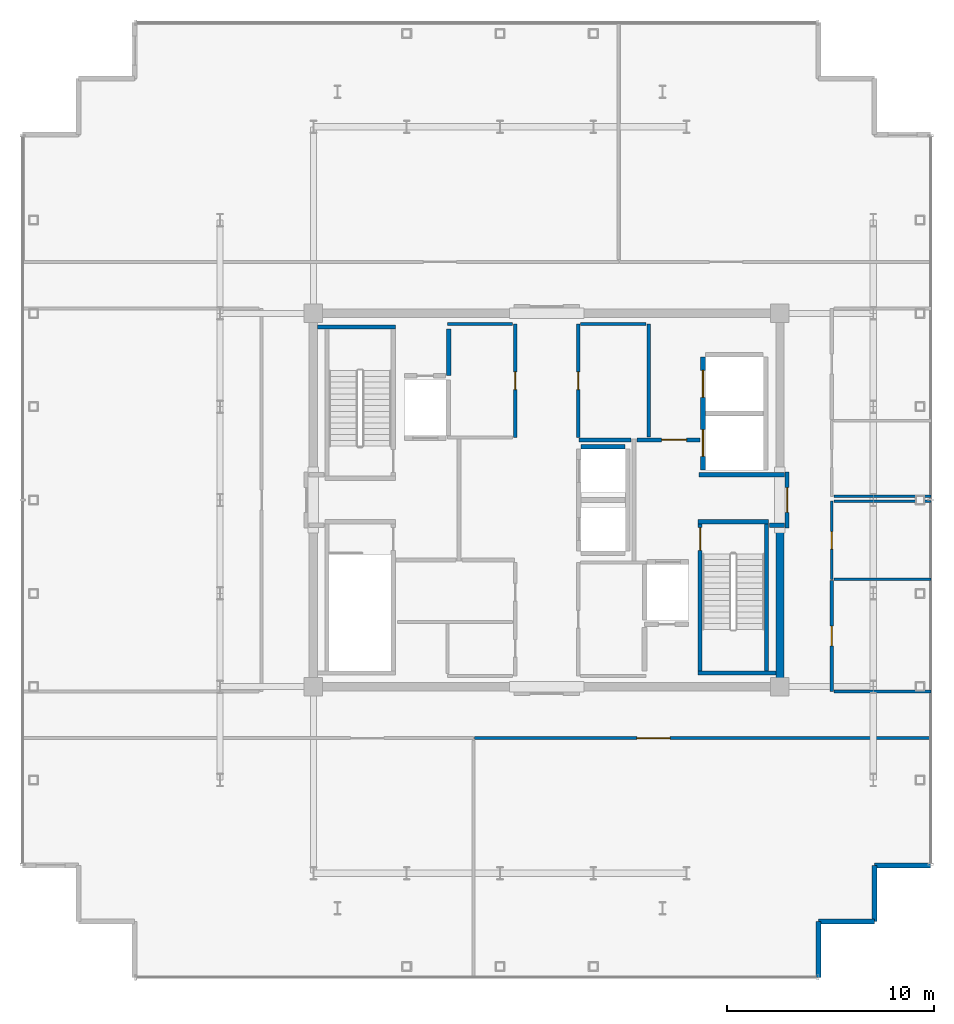
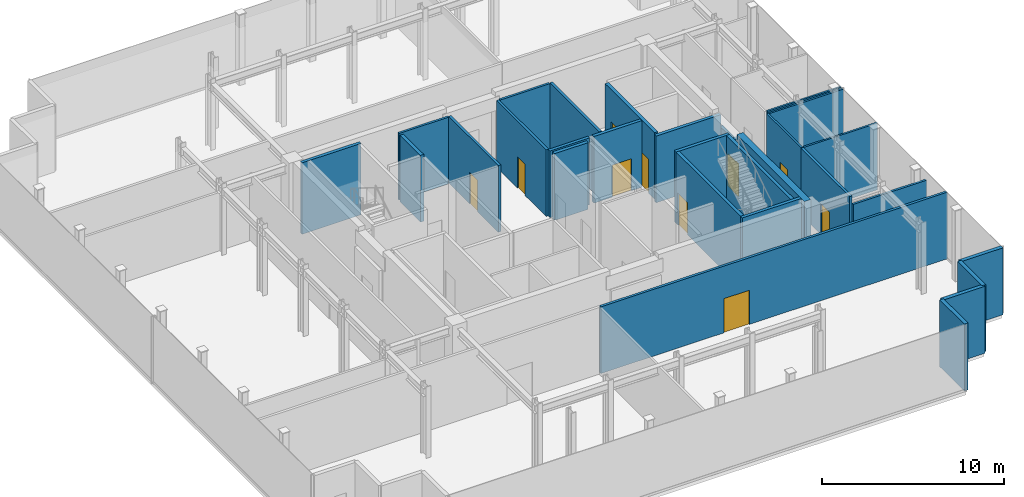
# One storey, part 14 of 17: 30 walls, 10 doors, 10 openings.
"""IFC4 building model written with IfcOpenShell, lengths in metres."""

from ifc_helpers import new_model, si_unit, direction, frame, frame_2d, origin, place, context, subcontext, project, spatial, rectangle, extrude, source, transform, mapped, material, layer, layer_set, type_object, element, fill, save


model = new_model("IFC4")

# Units and contexts
model_context = context("Model", 3, precision=1e-05, world=origin(), true_north=direction((0.0, 1.0)))
body_context = subcontext(model_context, "Body", "Model", "MODEL_VIEW")
ifc_project = project(units=[si_unit("LENGTHUNIT", "METRE"), si_unit("AREAUNIT", "SQUARE_METRE"), si_unit("VOLUMEUNIT", "CUBIC_METRE"), si_unit("PLANEANGLEUNIT", "RADIAN"), si_unit("MASSUNIT", "GRAM", prefix="KILO")], contexts=[model_context])

# Site, building, storey
site_placement = place(None, origin())
site = spatial("IfcSite", under=ifc_project, at=site_placement, CompositionType="ELEMENT")
building_placement = place(site_placement, origin())
building = spatial("IfcBuilding", under=site, at=building_placement, Name="Nefas-Gora Pilgrimage Tower", CompositionType="ELEMENT")
storey_placement = place(building_placement, frame((0.0, 0.0, 353.800048828125)))
storey = spatial("IfcBuildingStorey", under=building, at=storey_placement, Name="L89", CompositionType="ELEMENT", Elevation=353.800048828125)

# Walls
ifc_material_1 = material(Name="Concrete C50/60", Category="concrete")
ifc_layer_1 = layer(ifc_material_1, 0.39990234375)
ifc_layer_set_1 = layer_set([ifc_layer_1], Name="Concrete C50/60")
wall_type_1 = type_object("IfcWallType", Name="SW-CORE-400", PredefinedType="SHEAR", material=ifc_layer_set_1)
shared_shape_1 = source(origin(), body_context, "Body", "SweptSolid", [
    extrude(rectangle(XDim=7.449951171875, YDim=0.39990234375, at=frame_2d((3.72509765625, 0.0))), origin(), (0.0, 0.0, 1.0), 4.800048828125),
])
wall_1_placement = place(storey_placement, frame((11.25, -8.800048828125, 0.0), z_axis=(0.0, 0.0, 1.0), x_axis=(0.0, 1.0, 0.0)))
element("IfcWall", 1, at=wall_1_placement, inside=storey, type_object=wall_type_1, Name="L89 Core Shear Wall E-South", PredefinedType="SHEAR", context=body_context, shape_type="MappedRepresentation", body=[
    mapped(shared_shape_1, transform((0.0, 0.0, 0.0), x_axis=(1.0, 0.0, 0.0), y_axis=(0.0, 1.0, 0.0), z_axis=(0.0, 0.0, 1.0), scale=1.0)),
])
ifc_material_2 = material(Name="Precast concrete C45/55", Category="concrete")
ifc_layer_2 = layer(ifc_material_2, 0.239990234375)
ifc_layer_set_2 = layer_set([ifc_layer_2], Name="Precast concrete C45/55")
wall_type_2 = type_object("IfcWallType", Name="EW-SERR-240", PredefinedType="SHEAR", material=ifc_layer_set_2)
shared_shape_2 = source(origin(), body_context, "Body", "SweptSolid", [
    extrude(rectangle(XDim=2.699951171875, YDim=0.239990234375, at=frame_2d((1.35009765625, 0.0))), origin(), (0.0, 0.0, 1.0), 4.5),
])
for number, where, z_axis, x_axis, name in (
    (2, (13.1201171875, -23.02001953125, 0.0), (0.0, 0.0, 1.0), (0.0, 1.0, 0.0), "L89 Serrated Corner Shear Pier Wall 13"),
    (3, (13.1201171875, -20.320068359375, 0.0), (0.0, 0.0, 1.0), (1.0, 0.0, 0.0), "L89 Serrated Corner Shear Pier Wall 14"),
    (4, (15.820068359375, -20.320068359375, 0.0), (0.0, 0.0, 1.0), (0.0, 1.0, 0.0), "L89 Serrated Corner Shear Pier Wall 15"),
    (5, (15.820068359375, -17.6201171875, 0.0), (0.0, 0.0, 1.0), (1.0, 0.0, 0.0), "L89 Serrated Corner Shear Pier Wall 16"),
):
    element("IfcWall", number, at=place(storey_placement, frame(where, z_axis=z_axis, x_axis=x_axis)), inside=storey, type_object=wall_type_2, Name=name, PredefinedType="SHEAR", context=body_context, shape_type="MappedRepresentation", body=[
        mapped(shared_shape_2, transform((0.0, 0.0, 0.0), x_axis=(1.0, 0.0, 0.0), y_axis=(0.0, 1.0, 0.0), z_axis=(0.0, 0.0, 1.0), scale=1.0)),
    ])
ifc_material_3 = material(Name="Concrete C45/55", Category="concrete")
ifc_layer_3 = layer(ifc_material_3, 0.199951171875)
ifc_layer_set_3 = layer_set([ifc_layer_3], Name="Concrete C45/55")
wall_type_3 = type_object("IfcWallType", Name="IW-STAIR-200", PredefinedType="SOLIDWALL", material=ifc_layer_set_3)
shared_shape_3 = source(origin(), body_context, "Body", "SweptSolid", [
    extrude(rectangle(XDim=3.39990234375, YDim=0.199951171875, at=frame_2d((1.699951171875, 0.0))), origin(), (0.0, 0.0, 1.0), 4.800048828125),
])
wall_2_placement = place(storey_placement, frame((7.300048828125, -1.050048828125, 0.0), z_axis=(0.0, 0.0, 1.0), x_axis=(1.0, 0.0, 0.0)))
element("IfcWall", 6, at=wall_2_placement, inside=storey, type_object=wall_type_3, Name="L89 Stairwell Shear Wall ST-02-near", PredefinedType="SOLIDWALL", context=body_context, shape_type="MappedRepresentation", body=[
    mapped(shared_shape_3, transform((0.0, 0.0, 0.0), x_axis=(1.0, 0.0, 0.0), y_axis=(0.0, 1.0, 0.0), z_axis=(0.0, 0.0, 1.0), scale=1.0)),
])

# Wall, opening, door
shared_shape_4 = source(origin(), body_context, "Body", "SweptSolid", [
    extrude(rectangle(XDim=7.10009765625, YDim=0.199951171875, at=frame_2d((3.550048828125, 0.0))), origin(), (0.0, 0.0, 1.0), 4.800048828125),
])
wall_3_placement = place(storey_placement, frame((7.39990234375, -1.14990234375, 0.0), z_axis=(0.0, 0.0, 1.0), x_axis=(0.0, -1.0, 0.0)))
wall_3 = element("IfcWall", 7, at=wall_3_placement, inside=storey, type_object=wall_type_3, Name="L89 Stairwell Shear Wall ST-02-left", PredefinedType="SOLIDWALL", context=body_context, shape_type="MappedRepresentation", body=[
    mapped(shared_shape_4, transform((0.0, 0.0, 0.0), x_axis=(1.0, 0.0, 0.0), y_axis=(0.0, 1.0, 0.0), z_axis=(0.0, 0.0, 1.0), scale=1.0)),
])
opening_1_placement = place(wall_3_placement, frame((0.179931640625, 0.0, 0.0)))
opening_1 = element("IfcOpeningElement", 8, at=opening_1_placement, cuts=wall_3, Name="Opening ID-ST1", PredefinedType="OPENING", context=body_context, shape_type="SweptSolid", body=[
    extrude(rectangle(XDim=1.10009765625, YDim=2.14990234375, at=frame_2d((0.550048828125, 1.074951171875))), frame((0.0, 0.10986328125, 0.0), z_axis=(0.0, -1.0, 0.0), x_axis=(1.0, 0.0, 0.0)), (0.0, 0.0, 1.0), 0.219970703125),
])
ifc_material_4 = material(Name="Painted galvanised steel fire stair door", Category="steel")
door_type_1 = type_object("IfcDoorType", Name="DR-INT-STAIR-1100", OperationType="NOTDEFINED", PredefinedType="DOOR", material=ifc_material_4)
shared_shape_5 = source(origin(), body_context, "Body", "SweptSolid", [
    extrude(rectangle(XDim=1.10009765625, YDim=2.14990234375, at=frame_2d((0.550048828125, 1.074951171875))), frame((0.0, 0.02490234375, 0.0), z_axis=(0.0, -1.0, 0.0), x_axis=(1.0, 0.0, 0.0)), (0.0, 0.0, 1.0), 0.050048828125),
])
door_1_placement = place(opening_1_placement, origin())
door_1 = element("IfcDoor", 9, at=door_1_placement, inside=storey, type_object=door_type_1, Name="L89 Protected Exit Stair Door ST-02", OperationType="SINGLE_SWING_RIGHT", OverallHeight=2.14990234375, OverallWidth=1.10009765625, PredefinedType="DOOR", context=body_context, shape_type="MappedRepresentation", body=[
    mapped(shared_shape_5, transform((0.0, 0.0, 0.0), x_axis=(1.0, 0.0, 0.0), y_axis=(0.0, 1.0, 0.0), z_axis=(0.0, 0.0, 1.0), scale=1.0)),
])
fill(opening_1, door_1)

# Walls
wall_4_placement = place(storey_placement, frame((10.60009765625, -1.14990234375, 0.0), z_axis=(0.0, 0.0, 1.0), x_axis=(0.0, -1.0, 0.0)))
element("IfcWall", 10, at=wall_4_placement, inside=storey, type_object=wall_type_3, Name="L89 Stairwell Shear Wall ST-02-right", PredefinedType="SOLIDWALL", context=body_context, shape_type="MappedRepresentation", body=[
    mapped(shared_shape_4, transform((0.0, 0.0, 0.0), x_axis=(1.0, 0.0, 0.0), y_axis=(0.0, 1.0, 0.0), z_axis=(0.0, 0.0, 1.0), scale=1.0)),
])
shared_shape_6 = source(origin(), body_context, "Body", "SweptSolid", [
    extrude(rectangle(XDim=3.7548828125, YDim=0.199951171875, at=frame_2d((1.87744140625, 0.0))), origin(), (0.0, 0.0, 1.0), 4.800048828125),
])
for number, where, z_axis, x_axis, name in (
    (11, (-7.300048828125, 8.35009765625, 0.0), (0.0, 0.0, 1.0), (-1.0, 0.0, 0.0), "L89 Stairwell Shear Wall ST-01-far"),
    (12, (7.300048828125, -8.35009765625, 0.0), (0.0, 0.0, 1.0), (1.0, 0.0, 0.0), "L89 Stairwell Shear Wall ST-02-far"),
):
    element("IfcWall", number, at=place(storey_placement, frame(where, z_axis=z_axis, x_axis=x_axis)), inside=storey, type_object=wall_type_3, Name=name, PredefinedType="SOLIDWALL", context=body_context, shape_type="MappedRepresentation", body=[
        mapped(shared_shape_6, transform((0.0, 0.0, 0.0), x_axis=(1.0, 0.0, 0.0), y_axis=(0.0, 1.0, 0.0), z_axis=(0.0, 0.0, 1.0), scale=1.0)),
    ])

# Wall, openings, doors
ifc_material_5 = material(Name="Concrete C40/50", Category="concrete")
ifc_layer_4 = layer(ifc_material_5, 0.219970703125)
ifc_layer_set_4 = layer_set([ifc_layer_4], Name="Concrete C40/50")
wall_type_4 = type_object("IfcWallType", Name="IW-SHAFT-220", PredefinedType="SOLIDWALL", material=ifc_layer_set_4)
shared_shape_7 = source(origin(), body_context, "Body", "SweptSolid", [
    extrude(rectangle(XDim=5.449951171875, YDim=0.219970703125, at=frame_2d((2.72509765625, 0.0))), origin(), (0.0, 0.0, 1.0), 4.48486328125),
])
wall_5_placement = place(storey_placement, frame((7.5400390625, 6.89990234375, 0.0), z_axis=(0.0, 0.0, 1.0), x_axis=(0.0, -1.0, 0.0)))
wall_5 = element("IfcWall", 13, at=wall_5_placement, inside=storey, type_object=wall_type_4, Name="L89 Hoistway Wall SL-01-02-W", PredefinedType="SOLIDWALL", context=body_context, shape_type="MappedRepresentation", body=[
    mapped(shared_shape_7, transform((0.0, 0.0, 0.0), x_axis=(1.0, 0.0, 0.0), y_axis=(0.0, 1.0, 0.0), z_axis=(0.0, 0.0, 1.0), scale=1.0)),
])
opening_2_placement = place(wall_5_placement, frame((3.5, 0.0, 0.0)))
opening_2 = element("IfcOpeningElement", 14, at=opening_2_placement, cuts=wall_5, Name="Opening LD-SV", PredefinedType="OPENING", context=body_context, shape_type="SweptSolid", body=[
    extrude(rectangle(XDim=1.300048828125, YDim=2.300048828125, at=frame_2d((0.64990234375, 1.14990234375))), frame((0.0, 0.119873046875, 0.0), z_axis=(0.0, -1.0, 0.0), x_axis=(1.0, 0.0, 0.0)), (0.0, 0.0, 1.0), 0.239990234375),
])
opening_3_placement = place(wall_5_placement, frame((0.64990234375, 0.0, 0.0)))
opening_3 = element("IfcOpeningElement", 15, at=opening_3_placement, cuts=wall_5, Name="Opening LD-SV", PredefinedType="OPENING", context=body_context, shape_type="SweptSolid", body=[
    extrude(rectangle(XDim=1.300048828125, YDim=2.300048828125, at=frame_2d((0.64990234375, 1.14990234375))), frame((0.0, 0.119873046875, 0.0), z_axis=(0.0, -1.0, 0.0), x_axis=(1.0, 0.0, 0.0)), (0.0, 0.0, 1.0), 0.239990234375),
])
ifc_material_6 = material(Name="Heavy goods sliding lift landing door")
door_type_2 = type_object("IfcDoorType", Name="DR-LIFT-SERV-1300", OperationType="SLIDING_TO_RIGHT", PredefinedType="DOOR", material=ifc_material_6)
shared_shape_8 = source(origin(), body_context, "Body", "SweptSolid", [
    extrude(rectangle(XDim=1.300048828125, YDim=2.300048828125, at=frame_2d((0.64990234375, 1.14990234375))), frame((0.0, 0.02490234375, 0.0), z_axis=(0.0, -1.0, 0.0), x_axis=(1.0, 0.0, 0.0)), (0.0, 0.0, 1.0), 0.050048828125),
])
door_2_placement = place(opening_2_placement, origin())
door_2 = element("IfcDoor", 16, at=door_2_placement, inside=storey, type_object=door_type_2, Name="L89 Sliding Lift Landing Door SL-01", OperationType="SLIDING_TO_RIGHT", OverallHeight=2.300048828125, OverallWidth=1.300048828125, PredefinedType="DOOR", context=body_context, shape_type="MappedRepresentation", body=[
    mapped(shared_shape_8, transform((0.0, 0.0, 0.0), x_axis=(1.0, 0.0, 0.0), y_axis=(0.0, 1.0, 0.0), z_axis=(0.0, 0.0, 1.0), scale=1.0)),
])
fill(opening_2, door_2)
door_3_placement = place(opening_3_placement, origin())
door_3 = element("IfcDoor", 17, at=door_3_placement, inside=storey, type_object=door_type_2, Name="L89 Sliding Lift Landing Door SL-02", OperationType="SLIDING_TO_RIGHT", OverallHeight=2.300048828125, OverallWidth=1.300048828125, PredefinedType="DOOR", context=body_context, shape_type="MappedRepresentation", body=[
    mapped(shared_shape_8, transform((0.0, 0.0, 0.0), x_axis=(1.0, 0.0, 0.0), y_axis=(0.0, 1.0, 0.0), z_axis=(0.0, 0.0, 1.0), scale=1.0)),
])
fill(opening_3, door_3)

# Wall
shared_shape_9 = source(origin(), body_context, "Body", "SweptSolid", [
    extrude(rectangle(XDim=2.130126953125, YDim=0.219970703125, at=frame_2d((1.06494140625, 0.0))), origin(), (0.0, 0.0, 1.0), 4.48486328125),
])
wall_6_placement = place(storey_placement, frame((3.7900390625, 2.56005859375, 0.0), z_axis=(0.0, 0.0, 1.0), x_axis=(-1.0, 0.0, 0.0)))
element("IfcWall", 18, at=wall_6_placement, inside=storey, type_object=wall_type_4, Name="L89 Hoistway Wall OBS-02-N", PredefinedType="SOLIDWALL", context=body_context, shape_type="MappedRepresentation", body=[
    mapped(shared_shape_9, transform((0.0, 0.0, 0.0), x_axis=(1.0, 0.0, 0.0), y_axis=(0.0, 1.0, 0.0), z_axis=(0.0, 0.0, 1.0), scale=1.0)),
])

# Wall, opening, door
ifc_material_7 = material(Name="Gypsum fire-rated shaftwall")
ifc_layer_5 = layer(ifc_material_7, 0.199951171875)
ifc_layer_set_5 = layer_set([ifc_layer_5], Name="Gypsum fire-rated shaftwall")
wall_type_5 = type_object("IfcWallType", Name="IW-FFLOB-200", PredefinedType="PARTITIONING", material=ifc_layer_set_5)
shared_shape_10 = source(origin(), body_context, "Body", "SweptSolid", [
    extrude(rectangle(XDim=2.7001953125, YDim=0.199951171875, at=frame_2d((1.35009765625, 0.0))), origin(), (0.0, 0.0, 1.0), 3.574951171875),
])
wall_7_placement = place(storey_placement, frame((11.60009765625, -1.35009765625, 0.0), z_axis=(0.0, 0.0, 1.0), x_axis=(0.0, 1.0, 0.0)))
wall_7 = element("IfcWall", 19, at=wall_7_placement, inside=storey, type_object=wall_type_5, Name="L89 FF Lobby East Portal Wall 11", PredefinedType="PARTITIONING", context=body_context, shape_type="MappedRepresentation", body=[
    mapped(shared_shape_10, transform((0.0, 0.0, 0.0), x_axis=(1.0, 0.0, 0.0), y_axis=(0.0, 1.0, 0.0), z_axis=(0.0, 0.0, 1.0), scale=1.0)),
])
opening_4_placement = place(wall_7_placement, frame((0.75, 0.0, 0.0)))
opening_4 = element("IfcOpeningElement", 20, at=opening_4_placement, cuts=wall_7, Name="Opening ID-FF1", PredefinedType="OPENING", context=body_context, shape_type="SweptSolid", body=[
    extrude(rectangle(XDim=1.199951171875, YDim=2.14990234375, at=frame_2d((0.60009765625, 1.074951171875))), frame((0.0, 0.10986328125, 0.0), z_axis=(0.0, -1.0, 0.0), x_axis=(1.0, 0.0, 0.0)), (0.0, 0.0, 1.0), 0.219970703125),
])
ifc_material_8 = material(Name="Smoke-sealed steel firefighting lobby door", Category="steel")
door_type_3 = type_object("IfcDoorType", Name="DR-INT-FFLOB-1200", OperationType="NOTDEFINED", PredefinedType="DOOR", material=ifc_material_8)
shared_shape_11 = source(origin(), body_context, "Body", "SweptSolid", [
    extrude(rectangle(XDim=1.199951171875, YDim=2.14990234375, at=frame_2d((0.60009765625, 1.074951171875))), frame((0.0, 0.02490234375, 0.0), z_axis=(0.0, -1.0, 0.0), x_axis=(1.0, 0.0, 0.0)), (0.0, 0.0, 1.0), 0.050048828125),
])
door_4_placement = place(opening_4_placement, origin())
door_4 = element("IfcDoor", 21, at=door_4_placement, inside=storey, type_object=door_type_3, Name="L89 FF Lobby East Portal Door 4", OperationType="SINGLE_SWING_LEFT", OverallHeight=2.14990234375, OverallWidth=1.199951171875, PredefinedType="DOOR", context=body_context, shape_type="MappedRepresentation", body=[
    mapped(shared_shape_11, transform((0.0, 0.0, 0.0), x_axis=(1.0, 0.0, 0.0), y_axis=(0.0, 1.0, 0.0), z_axis=(0.0, 0.0, 1.0), scale=1.0)),
])
fill(opening_4, door_4)

# Walls
ifc_material_9 = material(Name="Gypsum twin-stud partition")
ifc_layer_6 = layer(ifc_material_9, 0.139892578125)
ifc_layer_set_6 = layer_set([ifc_layer_6], Name="Gypsum twin-stud partition")
wall_type_6 = type_object("IfcWallType", Name="IW-UNIT-140", PredefinedType="PARTITIONING", material=ifc_layer_set_6)
shared_shape_12 = source(origin(), body_context, "Body", "SweptSolid", [
    extrude(rectangle(XDim=4.669921875, YDim=0.139892578125, at=frame_2d((2.3349609375, 0.0))), origin(), (0.0, 0.0, 1.0), 3.925048828125),
])
wall_8_placement = place(storey_placement, frame((13.8701171875, -9.22998046875, 0.0), z_axis=(0.0, 0.0, 1.0), x_axis=(1.0, 0.0, 0.0)))
element("IfcWall", 22, at=wall_8_placement, inside=storey, type_object=wall_type_6, Name="L89 Summit Reading Lounge Partition Wall 50", PredefinedType="PARTITIONING", context=body_context, shape_type="MappedRepresentation", body=[
    mapped(shared_shape_12, transform((0.0, 0.0, 0.0), x_axis=(1.0, 0.0, 0.0), y_axis=(0.0, 1.0, 0.0), z_axis=(0.0, 0.0, 1.0), scale=1.0)),
])
shared_shape_13 = source(origin(), body_context, "Body", "SweptSolid", [
    extrude(rectangle(XDim=2.25, YDim=0.219970703125, at=frame_2d((1.125, 0.0))), origin(), (0.0, 0.0, 1.0), 4.48486328125),
])
wall_9_placement = place(storey_placement, frame((-4.719970703125, 6.0, 0.0), z_axis=(0.0, 0.0, 1.0), x_axis=(0.0, 1.0, 0.0)))
element("IfcWall", 23, at=wall_9_placement, inside=storey, type_object=wall_type_4, Name="L89 Riser Shaft Wall 1", PredefinedType="SOLIDWALL", context=body_context, shape_type="MappedRepresentation", body=[
    mapped(shared_shape_13, transform((0.0, 0.0, 0.0), x_axis=(1.0, 0.0, 0.0), y_axis=(0.0, 1.0, 0.0), z_axis=(0.0, 0.0, 1.0), scale=1.0)),
])
shared_shape_14 = source(origin(), body_context, "Body", "SweptSolid", [
    extrude(rectangle(XDim=2.52001953125, YDim=0.199951171875, at=frame_2d((1.260009765625, 0.0))), origin(), (0.0, 0.0, 1.0), 4.48486328125),
])
wall_10_placement = place(storey_placement, frame((1.56005859375, 2.89990234375, 0.0), z_axis=(0.0, 0.0, 1.0), x_axis=(1.0, 0.0, 0.0)))
element("IfcWall", 24, at=wall_10_placement, inside=storey, type_object=wall_type_5, Name="L89 FF Lobby East North Wall Wall 13", PredefinedType="PARTITIONING", context=body_context, shape_type="MappedRepresentation", body=[
    mapped(shared_shape_14, transform((0.0, 0.0, 0.0), x_axis=(1.0, 0.0, 0.0), y_axis=(0.0, 1.0, 0.0), z_axis=(0.0, 0.0, 1.0), scale=1.0)),
])
shared_shape_15 = source(origin(), body_context, "Body", "SweptSolid", [
    extrude(rectangle(XDim=0.719970703125, YDim=0.199951171875, at=frame_2d((0.35986328125, 0.0))), origin(), (0.0, 0.0, 1.0), 4.48486328125),
])
wall_11_placement = place(storey_placement, frame((10.739990234375, -1.219970703125, 0.0), z_axis=(0.0, 0.0, 1.0), x_axis=(1.0, 0.0, 0.0)))
element("IfcWall", 25, at=wall_11_placement, inside=storey, type_object=wall_type_5, Name="L89 FF Lobby East Throat S Wall 16", PredefinedType="PARTITIONING", context=body_context, shape_type="MappedRepresentation", body=[
    mapped(shared_shape_15, transform((0.0, 0.0, 0.0), x_axis=(1.0, 0.0, 0.0), y_axis=(0.0, 1.0, 0.0), z_axis=(0.0, 0.0, 1.0), scale=1.0)),
])

# Wall, opening, door
shared_shape_16 = source(origin(), body_context, "Body", "SweptSolid", [
    extrude(rectangle(XDim=3.039794921875, YDim=0.199951171875, at=frame_2d((1.52001953125, 0.0))), origin(), (0.0, 0.0, 1.0), 4.48486328125),
])
wall_12_placement = place(storey_placement, frame((4.360107421875, 2.89990234375, 0.0), z_axis=(0.0, 0.0, 1.0), x_axis=(1.0, 0.0, 0.0)))
wall_12 = element("IfcWall", 26, at=wall_12_placement, inside=storey, type_object=wall_type_5, Name="L89 FF Lobby East North Wall Wall 14", PredefinedType="PARTITIONING", context=body_context, shape_type="MappedRepresentation", body=[
    mapped(shared_shape_16, transform((0.0, 0.0, 0.0), x_axis=(1.0, 0.0, 0.0), y_axis=(0.0, 1.0, 0.0), z_axis=(0.0, 0.0, 1.0), scale=1.0)),
])
opening_5_placement = place(wall_12_placement, frame((1.18994140625, 0.0, 0.0)))
opening_5 = element("IfcOpeningElement", 27, at=opening_5_placement, cuts=wall_12, Name="Opening ID-PL1", PredefinedType="OPENING", context=body_context, shape_type="SweptSolid", body=[
    extrude(rectangle(XDim=1.199951171875, YDim=2.14990234375, at=frame_2d((0.60009765625, 1.074951171875))), frame((0.0, 0.10986328125, 0.0), z_axis=(0.0, -1.0, 0.0), x_axis=(1.0, 0.0, 0.0)), (0.0, 0.0, 1.0), 0.219970703125),
])
ifc_material_10 = material(Name="Heavy-duty steel plant room fire door", Category="steel")
door_type_4 = type_object("IfcDoorType", Name="DR-INT-PLANT-1200", OperationType="NOTDEFINED", PredefinedType="DOOR", material=ifc_material_10)
door_5_placement = place(opening_5_placement, origin())
door_5 = element("IfcDoor", 28, at=door_5_placement, inside=storey, type_object=door_type_4, Name="L89 Service Lift Lobby Door Door 5", OperationType="SINGLE_SWING_RIGHT", OverallHeight=2.14990234375, OverallWidth=1.199951171875, PredefinedType="DOOR", context=body_context, shape_type="MappedRepresentation", body=[
    mapped(shared_shape_11, transform((0.0, 0.0, 0.0), x_axis=(1.0, 0.0, 0.0), y_axis=(0.0, 1.0, 0.0), z_axis=(0.0, 0.0, 1.0), scale=1.0)),
])
fill(opening_5, door_5)

# Walls
shared_shape_17 = source(origin(), body_context, "Body", "SweptSolid", [
    extrude(rectangle(XDim=4.10986328125, YDim=0.199951171875, at=frame_2d((2.054931640625, 0.0))), origin(), (0.0, 0.0, 1.0), 4.48486328125),
])
wall_13_placement = place(storey_placement, frame((7.35009765625, 1.219970703125, 0.0), z_axis=(0.0, 0.0, 1.0), x_axis=(1.0, 0.0, 0.0)))
element("IfcWall", 29, at=wall_13_placement, inside=storey, type_object=wall_type_5, Name="L89 FF Lobby East Throat N Wall 15", PredefinedType="PARTITIONING", context=body_context, shape_type="MappedRepresentation", body=[
    mapped(shared_shape_17, transform((0.0, 0.0, 0.0), x_axis=(1.0, 0.0, 0.0), y_axis=(0.0, 1.0, 0.0), z_axis=(0.0, 0.0, 1.0), scale=1.0)),
])
ifc_material_11 = material(Name="Gypsum acoustic stud partition")
ifc_layer_7 = layer(ifc_material_11, 0.159912109375)
ifc_layer_set_7 = layer_set([ifc_layer_7], Name="Gypsum acoustic stud partition")
wall_type_7 = type_object("IfcWallType", Name="IW-CORR-160", PredefinedType="PARTITIONING", material=ifc_layer_set_7)
shared_shape_18 = source(origin(), body_context, "Body", "SweptSolid", [
    extrude(rectangle(XDim=5.449951171875, YDim=0.159912109375, at=frame_2d((2.72509765625, 0.0))), origin(), (0.0, 0.0, 1.0), 4.48486328125),
])
wall_14_placement = place(storey_placement, frame((4.919921875, 3.0400390625, 0.0), z_axis=(0.0, 0.0, 1.0), x_axis=(0.0, 1.0, 0.0)))
element("IfcWall", 30, at=wall_14_placement, inside=storey, type_object=wall_type_7, Name="L89 Service Lift Lobby West Wall Wall 19", PredefinedType="PARTITIONING", context=body_context, shape_type="MappedRepresentation", body=[
    mapped(shared_shape_18, transform((0.0, 0.0, 0.0), x_axis=(1.0, 0.0, 0.0), y_axis=(0.0, 1.0, 0.0), z_axis=(0.0, 0.0, 1.0), scale=1.0)),
])

# Wall, opening, door
shared_shape_19 = source(origin(), body_context, "Body", "SweptSolid", [
    extrude(rectangle(XDim=5.47998046875, YDim=0.159912109375, at=frame_2d((2.739990234375, 0.0))), origin(), (0.0, 0.0, 1.0), 4.48486328125),
])
wall_15_placement = place(storey_placement, frame((-1.52001953125, 3.010009765625, 0.0), z_axis=(0.0, 0.0, 1.0), x_axis=(0.0, 1.0, 0.0)))
wall_15 = element("IfcWall", 31, at=wall_15_placement, inside=storey, type_object=wall_type_7, Name="L89 Housekeeping and Linen Store Wall 20", PredefinedType="PARTITIONING", context=body_context, shape_type="MappedRepresentation", body=[
    mapped(shared_shape_19, transform((0.0, 0.0, 0.0), x_axis=(1.0, 0.0, 0.0), y_axis=(0.0, 1.0, 0.0), z_axis=(0.0, 0.0, 1.0), scale=1.0)),
])
opening_6_placement = place(wall_15_placement, frame((2.31494140625, 0.0, 0.0)))
opening_6 = element("IfcOpeningElement", 32, at=opening_6_placement, cuts=wall_15, Name="Opening ID-BT1", PredefinedType="OPENING", context=body_context, shape_type="SweptSolid", body=[
    extrude(rectangle(XDim=0.85009765625, YDim=2.10009765625, at=frame_2d((0.425048828125, 1.050048828125))), frame((0.0, 0.08984375, 0.0), z_axis=(0.0, -1.0, 0.0), x_axis=(1.0, 0.0, 0.0)), (0.0, 0.0, 1.0), 0.179931640625),
])
ifc_material_12 = material(Name="Moisture-resistant fire-rated timber door", Category="wood")
door_type_5 = type_object("IfcDoorType", Name="DR-INT-BATH-850", OperationType="NOTDEFINED", PredefinedType="DOOR", material=ifc_material_12)
shared_shape_20 = source(origin(), body_context, "Body", "SweptSolid", [
    extrude(rectangle(XDim=0.85009765625, YDim=2.10009765625, at=frame_2d((0.425048828125, 1.050048828125))), frame((0.0, 0.02490234375, 0.0), z_axis=(0.0, -1.0, 0.0), x_axis=(1.0, 0.0, 0.0)), (0.0, 0.0, 1.0), 0.050048828125),
])
door_6_placement = place(opening_6_placement, origin())
door_6 = element("IfcDoor", 33, at=door_6_placement, inside=storey, type_object=door_type_5, Name="L89 Housekeeping and Linen Store Door 8", OperationType="SINGLE_SWING_LEFT", OverallHeight=2.10009765625, OverallWidth=0.85009765625, PredefinedType="DOOR", context=body_context, shape_type="MappedRepresentation", body=[
    mapped(shared_shape_20, transform((0.0, 0.0, 0.0), x_axis=(1.0, 0.0, 0.0), y_axis=(0.0, 1.0, 0.0), z_axis=(0.0, 0.0, 1.0), scale=1.0)),
])
fill(opening_6, door_6)

wall_16_placement = place(storey_placement, frame((1.52001953125, 3.010009765625, 0.0), z_axis=(0.0, 0.0, 1.0), x_axis=(0.0, 1.0, 0.0)))
wall_16 = element("IfcWall", 34, at=wall_16_placement, inside=storey, type_object=wall_type_7, Name="L89 Freed Bank-1 Amenity Supply Store Wall 25", PredefinedType="PARTITIONING", context=body_context, shape_type="MappedRepresentation", body=[
    mapped(shared_shape_19, transform((0.0, 0.0, 0.0), x_axis=(1.0, 0.0, 0.0), y_axis=(0.0, 1.0, 0.0), z_axis=(0.0, 0.0, 1.0), scale=1.0)),
])
opening_7_placement = place(wall_16_placement, frame((2.31494140625, 0.0, 0.0)))
opening_7 = element("IfcOpeningElement", 35, at=opening_7_placement, cuts=wall_16, Name="Opening ID-BT1", PredefinedType="OPENING", context=body_context, shape_type="SweptSolid", body=[
    extrude(rectangle(XDim=0.85009765625, YDim=2.10009765625, at=frame_2d((0.425048828125, 1.050048828125))), frame((0.0, 0.08984375, 0.0), z_axis=(0.0, -1.0, 0.0), x_axis=(1.0, 0.0, 0.0)), (0.0, 0.0, 1.0), 0.179931640625),
])
door_7_placement = place(opening_7_placement, origin())
door_7 = element("IfcDoor", 36, at=door_7_placement, inside=storey, type_object=door_type_5, Name="L89 Freed Bank-1 Amenity Supply Store Door 11", OperationType="SINGLE_SWING_RIGHT", OverallHeight=2.10009765625, OverallWidth=0.85009765625, PredefinedType="DOOR", context=body_context, shape_type="MappedRepresentation", body=[
    mapped(shared_shape_20, transform((0.0, 0.0, 0.0), x_axis=(1.0, 0.0, 0.0), y_axis=(0.0, 1.0, 0.0), z_axis=(0.0, 0.0, 1.0), scale=1.0)),
])
fill(opening_7, door_7)

# Walls
shared_shape_21 = source(origin(), body_context, "Body", "SweptSolid", [
    extrude(rectangle(XDim=3.150146484375, YDim=0.139892578125, at=frame_2d((1.5751953125, 0.0))), origin(), (0.0, 0.0, 1.0), 4.48486328125),
])
for number, where, z_axis, x_axis, name in (
    (37, (-4.7900390625, 8.47998046875, 0.0), (0.0, 0.0, 1.0), (1.0, 0.0, 0.0), "L89 Housekeeping and Linen Store Partition Wall 22"),
    (38, (1.639892578125, 8.47998046875, 0.0), (0.0, 0.0, 1.0), (1.0, 0.0, 0.0), "L89 Freed Bank-1 Amenity Supply Store Partition Wall 26"),
):
    element("IfcWall", number, at=place(storey_placement, frame(where, z_axis=z_axis, x_axis=x_axis)), inside=storey, type_object=wall_type_6, Name=name, PredefinedType="PARTITIONING", context=body_context, shape_type="MappedRepresentation", body=[
        mapped(shared_shape_21, transform((0.0, 0.0, 0.0), x_axis=(1.0, 0.0, 0.0), y_axis=(0.0, 1.0, 0.0), z_axis=(0.0, 0.0, 1.0), scale=1.0)),
    ])

# Wall, opening, door
shared_shape_22 = source(origin(), body_context, "Body", "SweptSolid", [
    extrude(rectangle(XDim=22.02001953125, YDim=0.159912109375, at=frame_2d((11.010009765625, 0.0))), origin(), (0.0, 0.0, 1.0), 4.48486328125),
])
wall_17_placement = place(storey_placement, frame((-3.47998046875, -11.47998046875, 0.0), z_axis=(0.0, 0.0, 1.0), x_axis=(1.0, 0.0, 0.0)))
wall_17 = element("IfcWall", 39, at=wall_17_placement, inside=storey, type_object=wall_type_7, Name="L89 Summit Sky Cafe and Bar Partition Wall 37", PredefinedType="PARTITIONING", context=body_context, shape_type="MappedRepresentation", body=[
    mapped(shared_shape_22, transform((0.0, 0.0, 0.0), x_axis=(1.0, 0.0, 0.0), y_axis=(0.0, 1.0, 0.0), z_axis=(0.0, 0.0, 1.0), scale=1.0)),
])
opening_8_placement = place(wall_17_placement, frame((7.830078125, 0.0, 0.0)))
opening_8 = element("IfcOpeningElement", 40, at=opening_8_placement, cuts=wall_17, Name="Opening ID-HL1", PredefinedType="OPENING", context=body_context, shape_type="SweptSolid", body=[
    extrude(rectangle(XDim=1.60009765625, YDim=2.300048828125, at=frame_2d((0.800048828125, 1.14990234375))), frame((0.0, 0.08984375, 0.0), z_axis=(0.0, -1.0, 0.0), x_axis=(1.0, 0.0, 0.0)), (0.0, 0.0, 1.0), 0.179931640625),
])
ifc_material_13 = material(Name="Double acoustic timber assembly hall door", Category="wood")
door_type_6 = type_object("IfcDoorType", Name="DR-INT-HALL-1600", OperationType="DOUBLE_DOOR_SINGLE_SWING", PredefinedType="DOOR", material=ifc_material_13)
shared_shape_23 = source(origin(), body_context, "Body", "SweptSolid", [
    extrude(rectangle(XDim=1.60009765625, YDim=2.300048828125, at=frame_2d((0.800048828125, 1.14990234375))), frame((0.0, 0.02490234375, 0.0), z_axis=(0.0, -1.0, 0.0), x_axis=(1.0, 0.0, 0.0)), (0.0, 0.0, 1.0), 0.050048828125),
])
door_8_placement = place(opening_8_placement, origin())
door_8 = element("IfcDoor", 41, at=door_8_placement, inside=storey, type_object=door_type_6, Name="L89 Summit Sky Cafe and Bar Door 16", OperationType="DOUBLE_DOOR_SINGLE_SWING", OverallHeight=2.300048828125, OverallWidth=1.60009765625, PredefinedType="DOOR", context=body_context, shape_type="MappedRepresentation", body=[
    mapped(shared_shape_23, transform((0.0, 0.0, 0.0), x_axis=(1.0, 0.0, 0.0), y_axis=(0.0, 1.0, 0.0), z_axis=(0.0, 0.0, 1.0), scale=1.0)),
])
fill(opening_8, door_8)

# Walls
ifc_material_14 = material(Name="Moisture-resistant fire-rated gypsum partition")
ifc_layer_8 = layer(ifc_material_14, 0.1201171875)
ifc_layer_set_8 = layer_set([ifc_layer_8], Name="Moisture-resistant fire-rated gypsum partition")
wall_type_8 = type_object("IfcWallType", Name="IW-WET-120", PredefinedType="PLUMBINGWALL", material=ifc_layer_set_8)
shared_shape_24 = source(origin(), body_context, "Body", "SweptSolid", [
    extrude(rectangle(XDim=4.68994140625, YDim=0.1201171875, at=frame_2d((2.344970703125, 0.0))), origin(), (0.0, 0.0, 1.0), 4.48486328125),
])
for number, where, z_axis, x_axis, name in (
    (42, (13.85009765625, 0.169921875, 0.0), (0.0, 0.0, 1.0), (1.0, 0.0, 0.0), "L89 Observation Accessible WC Partition Wall 43"),
    (43, (13.85009765625, -0.070068359375, 0.0), (0.0, 0.0, 1.0), (1.0, 0.0, 0.0), "L89 Observation Public Restroom WC Partition Wall 45"),
    (44, (13.85009765625, -3.830078125, 0.0), (0.0, 0.0, 1.0), (1.0, 0.0, 0.0), "L89 Observation Public Restroom WC Partition Wall 46"),
):
    element("IfcWall", number, at=place(storey_placement, frame(where, z_axis=z_axis, x_axis=x_axis)), inside=storey, type_object=wall_type_8, Name=name, PredefinedType="PLUMBINGWALL", context=body_context, shape_type="MappedRepresentation", body=[
        mapped(shared_shape_24, transform((0.0, 0.0, 0.0), x_axis=(1.0, 0.0, 0.0), y_axis=(0.0, 1.0, 0.0), z_axis=(0.0, 0.0, 1.0), scale=1.0)),
    ])

# Wall, opening, door
shared_shape_25 = source(origin(), body_context, "Body", "SweptSolid", [
    extrude(rectangle(XDim=3.780029296875, YDim=0.1201171875, at=frame_2d((1.89013671875, 0.0))), origin(), (0.0, 0.0, 1.0), 4.48486328125),
])
wall_18_placement = place(storey_placement, frame((13.75, -3.840087890625, 0.0), z_axis=(0.0, 0.0, 1.0), x_axis=(0.0, 1.0, 0.0)))
wall_18 = element("IfcWall", 45, at=wall_18_placement, inside=storey, type_object=wall_type_8, Name="L89 Observation Public Restroom WC Partition Wall 44", PredefinedType="PLUMBINGWALL", context=body_context, shape_type="MappedRepresentation", body=[
    mapped(shared_shape_25, transform((0.0, 0.0, 0.0), x_axis=(1.0, 0.0, 0.0), y_axis=(0.0, 1.0, 0.0), z_axis=(0.0, 0.0, 1.0), scale=1.0)),
])
opening_9_placement = place(wall_18_placement, frame((1.465087890625, 0.0, 0.0)))
opening_9 = element("IfcOpeningElement", 46, at=opening_9_placement, cuts=wall_18, Name="Opening ID-BT1", PredefinedType="OPENING", context=body_context, shape_type="SweptSolid", body=[
    extrude(rectangle(XDim=0.85009765625, YDim=2.10009765625, at=frame_2d((0.425048828125, 1.050048828125))), frame((0.0, 0.070068359375, 0.0), z_axis=(0.0, -1.0, 0.0), x_axis=(1.0, 0.0, 0.0)), (0.0, 0.0, 1.0), 0.14013671875),
])
door_9_placement = place(opening_9_placement, origin())
door_9 = element("IfcDoor", 47, at=door_9_placement, inside=storey, type_object=door_type_5, Name="L89 Observation Public Restroom WC Door 19", OperationType="SINGLE_SWING_RIGHT", OverallHeight=2.10009765625, OverallWidth=0.85009765625, PredefinedType="DOOR", context=body_context, shape_type="MappedRepresentation", body=[
    mapped(shared_shape_20, transform((0.0, 0.0, 0.0), x_axis=(1.0, 0.0, 0.0), y_axis=(0.0, 1.0, 0.0), z_axis=(0.0, 0.0, 1.0), scale=1.0)),
])
fill(opening_9, door_9)

shared_shape_26 = source(origin(), body_context, "Body", "SweptSolid", [
    extrude(rectangle(XDim=5.360107421875, YDim=0.159912109375, at=frame_2d((2.68017578125, 0.0))), origin(), (0.0, 0.0, 1.0), 4.48486328125),
])
wall_19_placement = place(storey_placement, frame((13.75, -9.239990234375, 0.0), z_axis=(0.0, 0.0, 1.0), x_axis=(0.0, 1.0, 0.0)))
wall_19 = element("IfcWall", 48, at=wall_19_placement, inside=storey, type_object=wall_type_7, Name="L89 Summit Reading Lounge Partition Wall 49", PredefinedType="PARTITIONING", context=body_context, shape_type="MappedRepresentation", body=[
    mapped(shared_shape_26, transform((0.0, 0.0, 0.0), x_axis=(1.0, 0.0, 0.0), y_axis=(0.0, 1.0, 0.0), z_axis=(0.0, 0.0, 1.0), scale=1.0)),
])
opening_10_placement = place(wall_19_placement, frame((2.205078125, 0.0, 0.0)))
opening_10 = element("IfcOpeningElement", 49, at=opening_10_placement, cuts=wall_19, Name="Opening ID-GR1", PredefinedType="OPENING", context=body_context, shape_type="SweptSolid", body=[
    extrude(rectangle(XDim=0.949951171875, YDim=2.10009765625, at=frame_2d((0.47509765625, 1.050048828125))), frame((0.0, 0.08984375, 0.0), z_axis=(0.0, -1.0, 0.0), x_axis=(1.0, 0.0, 0.0)), (0.0, 0.0, 1.0), 0.179931640625),
])
ifc_material_15 = material(Name="Solid core oak fire-rated guest entrance door")
door_type_7 = type_object("IfcDoorType", Name="DR-INT-GUEST-950", OperationType="NOTDEFINED", PredefinedType="DOOR", material=ifc_material_15)
shared_shape_27 = source(origin(), body_context, "Body", "SweptSolid", [
    extrude(rectangle(XDim=0.949951171875, YDim=2.10009765625, at=frame_2d((0.47509765625, 1.050048828125))), frame((0.0, 0.02490234375, 0.0), z_axis=(0.0, -1.0, 0.0), x_axis=(1.0, 0.0, 0.0)), (0.0, 0.0, 1.0), 0.050048828125),
])
door_10_placement = place(opening_10_placement, origin())
door_10 = element("IfcDoor", 50, at=door_10_placement, inside=storey, type_object=door_type_7, Name="L89 Summit Reading Lounge Door 21", OperationType="SINGLE_SWING_RIGHT", OverallHeight=2.10009765625, OverallWidth=0.949951171875, PredefinedType="DOOR", context=body_context, shape_type="MappedRepresentation", body=[
    mapped(shared_shape_27, transform((0.0, 0.0, 0.0), x_axis=(1.0, 0.0, 0.0), y_axis=(0.0, 1.0, 0.0), z_axis=(0.0, 0.0, 1.0), scale=1.0)),
])
fill(opening_10, door_10)

save(model, "model.ifc")
